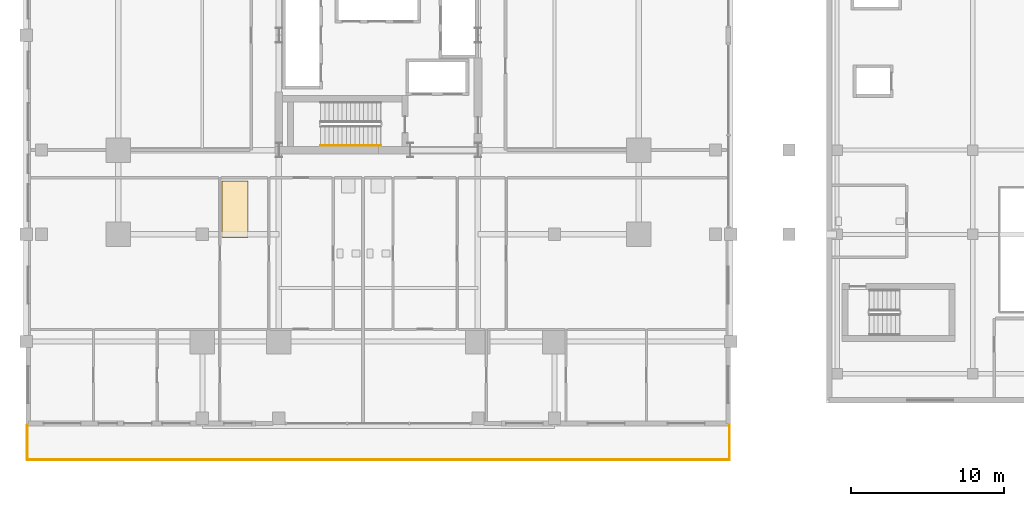
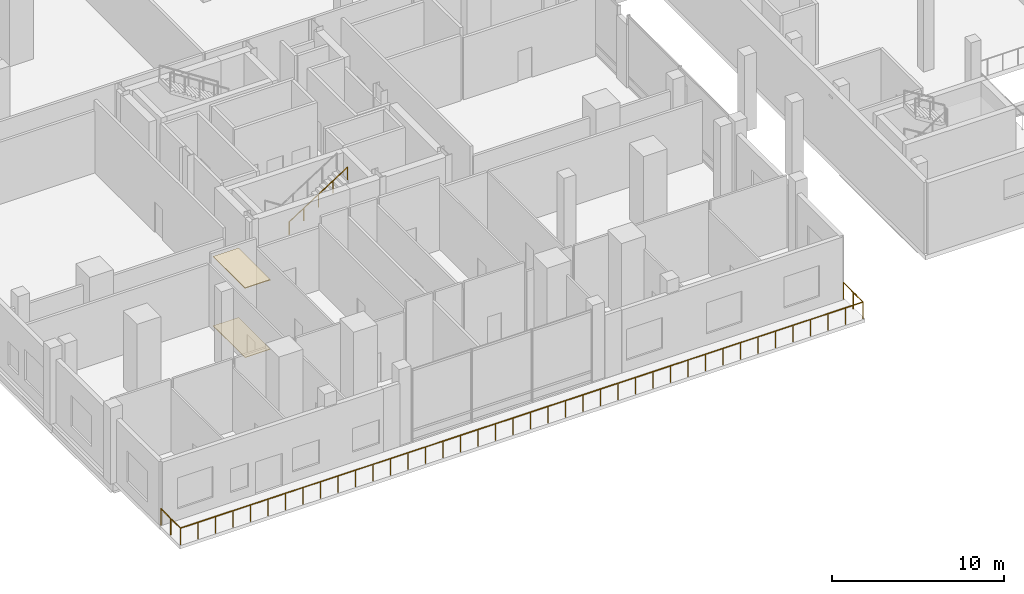
# One storey, part 26 of 32: 2 coverings, 2 railings.
"""IFC4 building model written with IfcOpenShell, lengths in metres."""

import ifcopenshell
import ifcopenshell.guid

model = None  # the IFC model being written
_history = None  # IfcOwnerHistory: only IFC2X3 demands one
_inside = {}  # id of a spatial element -> (the spatial element, [elements in it])
_under = {}  # id of a project, library or spatial element -> (it, [spatial elements below it])
_declared = {}  # id of a project -> (the project, [libraries it declares])
_typed = {}  # id of a type object -> (the type object, [elements of that type])
_made_of = {}  # id of a material, layer set ... -> (it, [elements and type objects made of it])


def new_model(schema):
    """Start an empty IFC model of exactly this schema.

    Asked for "IFC4X3", IfcOpenShell would pick the latest addendum, in which some entities
    have other attributes; the version numbers below select the first issue.
    IFC2X3 requires an IfcOwnerHistory on every rooted entity: one is made here for all.
    """
    global model, _history
    if schema == "IFC4X3":
        model = ifcopenshell.file(schema_version=(4, 3, 0, 0))
    else:
        model = ifcopenshell.file(schema=schema)
    _inside.clear()
    _under.clear()
    _declared.clear()
    _typed.clear()
    _made_of.clear()
    _history = None
    if model.schema == "IFC2X3":
        org = make("IfcOrganization", Name="unknown")
        user = make(
            "IfcPersonAndOrganization",
            ThePerson=make("IfcPerson", FamilyName="unknown"),
            TheOrganization=org,
        )
        app = make(
            "IfcApplication",
            ApplicationDeveloper=org,
            Version="unknown",
            ApplicationFullName="unknown",
            ApplicationIdentifier="unknown",
        )
        _history = make(
            "IfcOwnerHistory",
            OwningUser=user,
            OwningApplication=app,
            ChangeAction="ADDED",
            CreationDate=0,
        )
    return model


def make(cls, **values):
    """One entity of the class cls with the attributes given. An attribute that is None is left unset."""
    return model.create_entity(
        cls, **{name: value for name, value in values.items() if value is not None}
    )


def rooted(cls, **values):
    """An entity with a GlobalId (a new one), such as an element, a storey or a relation."""
    return make(cls, GlobalId=ifcopenshell.guid.new(), OwnerHistory=_history, **values)


def si_unit(unit_type, name, prefix=None):
    """IfcSIUnit, for example si_unit("LENGTHUNIT", "METRE", prefix="MILLI")."""
    return make("IfcSIUnit", UnitType=unit_type, Prefix=prefix, Name=name)


def assignment(units):
    """IfcUnitAssignment: the units of a project."""
    return None if units is None else make("IfcUnitAssignment", Units=units)


def point(xyz):
    """IfcCartesianPoint."""
    return None if xyz is None else make("IfcCartesianPoint", Coordinates=xyz)


def direction(xyz):
    """IfcDirection."""
    return None if xyz is None else make("IfcDirection", DirectionRatios=xyz)


def frame(location, z_axis=None, x_axis=None):
    """IfcAxis2Placement3D, a coordinate frame: its origin and axes. An axis left out is left unset."""
    return make(
        "IfcAxis2Placement3D",
        Location=point(location),
        Axis=direction(z_axis),
        RefDirection=direction(x_axis),
    )


def frame_2d(location, x_axis=None):
    """IfcAxis2Placement2D, a coordinate frame in the plane: its origin and x axis."""
    return make(
        "IfcAxis2Placement2D", Location=point(location), RefDirection=direction(x_axis)
    )


def origin():
    """The frame at (0, 0, 0) with its axes left unset."""
    return frame((0.0, 0.0, 0.0))


def origin_2d():
    """The frame at (0, 0) in the plane with its x axis left unset."""
    return frame_2d((0.0, 0.0))


def place(relative_to, where):
    """IfcLocalPlacement: puts the frame where relative to a parent placement (None: the world)."""
    return make(
        "IfcLocalPlacement", PlacementRelTo=relative_to, RelativePlacement=where
    )


def context(
    kind, dimensions, precision=None, world=None, true_north=None, identifier=None
):
    """IfcGeometricRepresentationContext, for example the 3D "Model" context."""
    return make(
        "IfcGeometricRepresentationContext",
        ContextIdentifier=identifier,
        ContextType=kind,
        CoordinateSpaceDimension=dimensions,
        Precision=precision,
        WorldCoordinateSystem=world,
        TrueNorth=true_north,
    )


def subcontext(parent, identifier, kind, view, scale=None):
    """IfcGeometricRepresentationSubContext, for example "Body" below "Model"."""
    return make(
        "IfcGeometricRepresentationSubContext",
        ContextIdentifier=identifier,
        ContextType=kind,
        ParentContext=parent,
        TargetScale=scale,
        TargetView=view,
    )


def project(units=None, contexts=None):
    """IfcProject with its units and contexts."""
    return rooted(
        "IfcProject",
        Name="project",
        RepresentationContexts=contexts,
        UnitsInContext=assignment(units),
    )


def spatial(cls, under=None, at=None, **own):
    """A site, building, storey or space (cls), placed at a placement, below another one or the project."""
    s = rooted(cls, ObjectPlacement=at, **own)
    if under is not None:
        _under.setdefault(under.id(), (under, []))[1].append(s)
    return s


def polyline(points):
    """IfcPolyline through the points."""
    return make("IfcPolyline", Points=[point(p) for p in points])


def profile(cls, at=None, kind="AREA", **sizes):
    """A parametric profile (cls). Its sizes go by their IFC names, for example OverallWidth=200.0."""
    return make(cls, ProfileType=kind, Position=at, **sizes)


def circle(**sizes):
    """IfcCircleProfileDef."""
    return profile("IfcCircleProfileDef", **sizes)


def outline(outer, holes=None, kind="AREA"):
    """IfcArbitraryClosedProfileDef: a profile drawn as a closed curve; with holes, ...WithVoids."""
    if holes is None:
        return make("IfcArbitraryClosedProfileDef", ProfileType=kind, OuterCurve=outer)
    return make(
        "IfcArbitraryProfileDefWithVoids",
        ProfileType=kind,
        OuterCurve=outer,
        InnerCurves=holes,
    )


def extrude(swept, where, along, depth):
    """IfcExtrudedAreaSolid: the profile swept, set in the frame where, extruded along a direction by depth."""
    return make(
        "IfcExtrudedAreaSolid",
        SweptArea=swept,
        Position=where,
        ExtrudedDirection=direction(along),
        Depth=depth,
    )


def shape(context_of_items, identifier, shape_type, items):
    """IfcShapeRepresentation: the items that make up one representation, for example the "Body"."""
    return make(
        "IfcShapeRepresentation",
        ContextOfItems=context_of_items,
        RepresentationIdentifier=identifier,
        RepresentationType=shape_type,
        Items=items,
    )


def material(Name=None, Category=None):
    """IfcMaterial."""
    return make("IfcMaterial", Name=Name, Category=Category)


def layer(
    of_material, thickness, ventilated=None, Name=None, Category=None, Priority=None
):
    """IfcMaterialLayer: one layer of a wall or slab, of a material (None: an air gap)."""
    return make(
        "IfcMaterialLayer",
        Material=of_material,
        LayerThickness=thickness,
        IsVentilated=ventilated,
        Name=Name,
        Category=Category,
        Priority=Priority,
    )


def layer_set(layers, Name=None):
    """IfcMaterialLayerSet."""
    return make("IfcMaterialLayerSet", MaterialLayers=layers, LayerSetName=Name)


def made_of(thing, what):
    """Note that an element or type object is made of a material, layer set ...; save() writes the relation."""
    if what is not None:
        _made_of.setdefault(what.id(), (what, []))[1].append(thing)
    return thing


def type_object(cls, material=None, **own):
    """A type object (cls), such as IfcWallType, which elements share."""
    return made_of(rooted(cls, **own), material)


def element(
    cls,
    number,
    at=None,
    inside=None,
    cuts=None,
    type_object=None,
    material=None,
    context=None,
    identifier="Body",
    shape_type=None,
    held_by="IfcProductDefinitionShape",
    body=None,
    shapes=None,
    **own,
):
    """One element of the class cls, such as IfcWall. Its Tag is "e" and its number.

    at: its placement. inside: the storey or other place that contains it. cuts: it is an
    opening in that element (IfcRelVoidsElement). A single representation is given by context,
    identifier, shape_type and body (its items); several are given by shapes. held_by: the class
    of the entity that holds the representations. save() writes the other relations.
    """
    e = rooted(cls, Tag="e%d" % number, ObjectPlacement=at, **own)
    if body is not None:
        shapes = [shape(context, identifier, shape_type, body)]
    if shapes is not None:
        e.Representation = make(held_by, Representations=shapes)
    if inside is not None:
        _inside.setdefault(inside.id(), (inside, []))[1].append(e)
    if cuts is not None:
        rooted(
            "IfcRelVoidsElement", RelatingBuildingElement=cuts, RelatedOpeningElement=e
        )
    if type_object is not None:
        _typed.setdefault(type_object.id(), (type_object, []))[1].append(e)
    return made_of(e, material)


def aggregate(whole, parts):
    """IfcRelAggregates: a whole, such as a stair, and the parts it consists of."""
    return rooted("IfcRelAggregates", RelatingObject=whole, RelatedObjects=parts)


def save(model, path):
    """Write the relations noted so far, then the file.

    IfcRelAggregates (storeys below a building ...), IfcRelContainedInSpatialStructure (elements
    in a storey), IfcRelDefinesByType, IfcRelAssociatesMaterial and IfcRelDeclares: one each for
    every whole, place, type object, material and project.
    """
    for whole, parts in _under.values():
        aggregate(whole, parts)
    for where, things in _inside.values():
        rooted(
            "IfcRelContainedInSpatialStructure",
            RelatedElements=things,
            RelatingStructure=where,
        )
    for kind, things in _typed.values():
        rooted("IfcRelDefinesByType", RelatedObjects=things, RelatingType=kind)
    for what, things in _made_of.values():
        rooted("IfcRelAssociatesMaterial", RelatedObjects=things, RelatingMaterial=what)
    for by, libraries in _declared.values():
        rooted("IfcRelDeclares", RelatingContext=by, RelatedDefinitions=libraries)
    model.write(path)


model = new_model("IFC4")

# Units and contexts
model_context = context("Model", 3, precision=1e-05, world=origin(), true_north=direction((0.0, 1.0)))
body_context = subcontext(model_context, "Body", "Model", "MODEL_VIEW")
ifc_project = project(units=[si_unit("LENGTHUNIT", "METRE"), si_unit("AREAUNIT", "SQUARE_METRE"), si_unit("VOLUMEUNIT", "CUBIC_METRE"), si_unit("PLANEANGLEUNIT", "RADIAN"), si_unit("MASSUNIT", "GRAM", prefix="KILO")], contexts=[model_context])

# Site, building, storey
site_placement = place(None, origin())
site = spatial("IfcSite", under=ifc_project, at=site_placement, CompositionType="ELEMENT")
building_placement = place(site_placement, origin())
building = spatial("IfcBuilding", under=site, at=building_placement, Name="Barlavira Tower and Art Museum", CompositionType="ELEMENT")
storey_placement = place(building_placement, frame((0.0, 0.0, 6.0)))
storey = spatial("IfcBuildingStorey", under=building, at=storey_placement, Name="L01", CompositionType="ELEMENT", Elevation=6.0)

# Coverings
ifc_material_1 = material(Name="Polished Catarinense terrazzo", Category="concrete")
ifc_layer_1 = layer(ifc_material_1, 0.0400390625, Name="Polished Catarinense terrazzo")
ifc_layer_set_1 = layer_set([ifc_layer_1], Name="Polished Catarinense terrazzo")
covering_type_1 = type_object("IfcCoveringType", Name="Gallery Terrazzo Architectural Flooring 40", PredefinedType="FLOORING", material=ifc_layer_set_1)
covering_1_placement = place(storey_placement, origin())
element("IfcCovering", 1, at=covering_1_placement, inside=storey, type_object=covering_type_1, Name="L01 Lobby Terrazzo Flooring", PredefinedType="FLOORING", context=body_context, shape_type="SweptSolid", body=[
    extrude(outline(polyline([(-10.199951171875, -13.199951171875), (-8.5, -13.199951171875), (-8.5, -9.5), (-10.199951171875, -9.5), (-10.199951171875, -13.199951171875)])), origin(), (0.0, 0.0, 1.0), 0.0400390625),
])
ifc_material_2 = material(Name="FSC acoustic timber slat", Category="wood")
ifc_layer_2 = layer(ifc_material_2, 0.050048828125, Name="FSC acoustic timber slat")
ifc_layer_set_2 = layer_set([ifc_layer_2], Name="FSC acoustic timber slat")
covering_type_2 = type_object("IfcCoveringType", Name="Lobby Acoustic Timber-Slat Suspended Ceiling 50", PredefinedType="CEILING", material=ifc_layer_set_2)
covering_2_placement = place(storey_placement, frame((0.0, 0.0, 4.919921875)))
element("IfcCovering", 2, at=covering_2_placement, inside=storey, type_object=covering_type_2, Name="L01 Lobby Acoustic Timber Ceiling", PredefinedType="CEILING", context=body_context, shape_type="SweptSolid", body=[
    extrude(outline(polyline([(-10.199951171875, -13.199951171875), (-8.5, -13.199951171875), (-8.5, -9.5), (-10.199951171875, -9.5), (-10.199951171875, -13.199951171875)])), origin(), (0.0, 0.0, 1.0), 0.050048828125),
])

# Railings
ifc_material_3 = material(Name="Brushed stainless steel", Category="steel")
railing_type_1 = type_object("IfcRailingType", Name="Stair Pitch Tubular Steel Handrail 920", PredefinedType="HANDRAIL", material=ifc_material_3)
railing_1_placement = place(storey_placement, frame((-3.77001953125, -7.199951171875, 2.8798828125)))
element("IfcRailing", 3, at=railing_1_placement, inside=storey, type_object=railing_type_1, Name="L01 ST-T1 stair handrail 2", PredefinedType="HANDRAIL", context=body_context, shape_type="SweptSolid", body=[
    extrude(circle(Radius=0.02392578125, at=origin_2d()), frame((0.0, 0.0, 0.8759765625), z_axis=(0.841171666519, 0.0, 0.540768182723), x_axis=(0.0, 1.0, 0.0)), (0.0, 0.0, 1.0), 4.66015625),
    extrude(circle(Radius=0.02099609375, at=origin_2d()), origin(), (0.0, 0.0, 1.0), 0.851806640625),
    extrude(circle(Radius=0.02099609375, at=origin_2d()), frame((0.97998046875, 0.0, 0.6298828125)), (0.0, 0.0, 1.0), 0.851806640625),
    extrude(circle(Radius=0.02099609375, at=origin_2d()), frame((1.9599609375, 0.0, 1.260009765625)), (0.0, 0.0, 1.0), 0.851806640625),
    extrude(circle(Radius=0.02099609375, at=origin_2d()), frame((2.93994140625, 0.0, 1.89013671875)), (0.0, 0.0, 1.0), 0.851806640625),
    extrude(circle(Radius=0.02099609375, at=origin_2d()), frame((3.919921875, 0.0, 2.52001953125)), (0.0, 0.0, 1.0), 0.851806640625),
])
ifc_material_4 = material(Name="Laminated safety glass and stainless steel", Category="steel")
railing_type_2 = type_object("IfcRailingType", Name="Terrace and Wind-Floor Laminated Glass Balustrade 1200", PredefinedType="BALUSTRADE", material=ifc_material_4)
railing_2_placement = place(storey_placement, frame((-22.919921875, -25.449951171875, 0.0)))
element("IfcRailing", 4, at=railing_2_placement, inside=storey, type_object=railing_type_2, Name="L01 South Cascade Terrace Balustrade", PredefinedType="BALUSTRADE", context=body_context, shape_type="SweptSolid", body=[
    extrude(circle(Radius=0.02392578125, at=origin_2d()), frame((0.0, 0.0, 1.17578125), z_axis=(0.0, -1.0, 0.0), x_axis=(1.0, 0.0, 0.0)), (0.0, 0.0, 1.0), 2.27001953125),
    extrude(circle(Radius=0.02392578125, at=origin_2d()), frame((0.0, -2.27001953125, 1.17578125), z_axis=(1.0, 0.0, 0.0), x_axis=(0.0, 1.0, 0.0)), (0.0, 0.0, 1.0), 45.83984375),
    extrude(circle(Radius=0.02392578125, at=origin_2d()), frame((45.83984375, -2.27001953125, 1.17578125), z_axis=(0.0, 1.0, 0.0), x_axis=(-1.0, 0.0, 0.0)), (0.0, 0.0, 1.0), 2.27001953125),
    extrude(circle(Radius=0.02099609375, at=origin_2d()), origin(), (0.0, 0.0, 1.0), 1.15185546875),
    extrude(circle(Radius=0.02099609375, at=origin_2d()), frame((0.0, -1.135009765625, 0.0)), (0.0, 0.0, 1.0), 1.15185546875),
    extrude(circle(Radius=0.02099609375, at=origin_2d()), frame((0.0, -2.27001953125, 0.0)), (0.0, 0.0, 1.0), 1.15185546875),
    extrude(circle(Radius=0.02099609375, at=origin_2d()), frame((1.17529296875, -2.27001953125, 0.0)), (0.0, 0.0, 1.0), 1.15185546875),
    extrude(circle(Radius=0.02099609375, at=origin_2d()), frame((2.350830078125, -2.27001953125, 0.0)), (0.0, 0.0, 1.0), 1.15185546875),
    extrude(circle(Radius=0.02099609375, at=origin_2d()), frame((3.526123046875, -2.27001953125, 0.0)), (0.0, 0.0, 1.0), 1.15185546875),
    extrude(circle(Radius=0.02099609375, at=origin_2d()), frame((4.701416015625, -2.27001953125, 0.0)), (0.0, 0.0, 1.0), 1.15185546875),
    extrude(circle(Radius=0.02099609375, at=origin_2d()), frame((5.876953125, -2.27001953125, 0.0)), (0.0, 0.0, 1.0), 1.15185546875),
    extrude(circle(Radius=0.02099609375, at=origin_2d()), frame((7.05224609375, -2.27001953125, 0.0)), (0.0, 0.0, 1.0), 1.15185546875),
    extrude(circle(Radius=0.02099609375, at=origin_2d()), frame((8.227783203125, -2.27001953125, 0.0)), (0.0, 0.0, 1.0), 1.15185546875),
    extrude(circle(Radius=0.02099609375, at=origin_2d()), frame((9.403076171875, -2.27001953125, 0.0)), (0.0, 0.0, 1.0), 1.15185546875),
    extrude(circle(Radius=0.02099609375, at=origin_2d()), frame((10.578369140625, -2.27001953125, 0.0)), (0.0, 0.0, 1.0), 1.15185546875),
    extrude(circle(Radius=0.02099609375, at=origin_2d()), frame((11.75390625, -2.27001953125, 0.0)), (0.0, 0.0, 1.0), 1.15185546875),
    extrude(circle(Radius=0.02099609375, at=origin_2d()), frame((12.92919921875, -2.27001953125, 0.0)), (0.0, 0.0, 1.0), 1.15185546875),
    extrude(circle(Radius=0.02099609375, at=origin_2d()), frame((14.1044921875, -2.27001953125, 0.0)), (0.0, 0.0, 1.0), 1.15185546875),
    extrude(circle(Radius=0.02099609375, at=origin_2d()), frame((15.280029296875, -2.27001953125, 0.0)), (0.0, 0.0, 1.0), 1.15185546875),
    extrude(circle(Radius=0.02099609375, at=origin_2d()), frame((16.455322265625, -2.27001953125, 0.0)), (0.0, 0.0, 1.0), 1.15185546875),
    extrude(circle(Radius=0.02099609375, at=origin_2d()), frame((17.630615234375, -2.27001953125, 0.0)), (0.0, 0.0, 1.0), 1.15185546875),
    extrude(circle(Radius=0.02099609375, at=origin_2d()), frame((18.80615234375, -2.27001953125, 0.0)), (0.0, 0.0, 1.0), 1.15185546875),
    extrude(circle(Radius=0.02099609375, at=origin_2d()), frame((19.9814453125, -2.27001953125, 0.0)), (0.0, 0.0, 1.0), 1.15185546875),
    extrude(circle(Radius=0.02099609375, at=origin_2d()), frame((21.15673828125, -2.27001953125, 0.0)), (0.0, 0.0, 1.0), 1.15185546875),
    extrude(circle(Radius=0.02099609375, at=origin_2d()), frame((22.332275390625, -2.27001953125, 0.0)), (0.0, 0.0, 1.0), 1.15185546875),
    extrude(circle(Radius=0.02099609375, at=origin_2d()), frame((23.507568359375, -2.27001953125, 0.0)), (0.0, 0.0, 1.0), 1.15185546875),
    extrude(circle(Radius=0.02099609375, at=origin_2d()), frame((24.68310546875, -2.27001953125, 0.0)), (0.0, 0.0, 1.0), 1.15185546875),
    extrude(circle(Radius=0.02099609375, at=origin_2d()), frame((25.8583984375, -2.27001953125, 0.0)), (0.0, 0.0, 1.0), 1.15185546875),
    extrude(circle(Radius=0.02099609375, at=origin_2d()), frame((27.03369140625, -2.27001953125, 0.0)), (0.0, 0.0, 1.0), 1.15185546875),
    extrude(circle(Radius=0.02099609375, at=origin_2d()), frame((28.209228515625, -2.27001953125, 0.0)), (0.0, 0.0, 1.0), 1.15185546875),
    extrude(circle(Radius=0.02099609375, at=origin_2d()), frame((29.384521484375, -2.27001953125, 0.0)), (0.0, 0.0, 1.0), 1.15185546875),
    extrude(circle(Radius=0.02099609375, at=origin_2d()), frame((30.559814453125, -2.27001953125, 0.0)), (0.0, 0.0, 1.0), 1.15185546875),
    extrude(circle(Radius=0.02099609375, at=origin_2d()), frame((31.7353515625, -2.27001953125, 0.0)), (0.0, 0.0, 1.0), 1.15185546875),
    extrude(circle(Radius=0.02099609375, at=origin_2d()), frame((32.91064453125, -2.27001953125, 0.0)), (0.0, 0.0, 1.0), 1.15185546875),
    extrude(circle(Radius=0.02099609375, at=origin_2d()), frame((34.0859375, -2.27001953125, 0.0)), (0.0, 0.0, 1.0), 1.15185546875),
    extrude(circle(Radius=0.02099609375, at=origin_2d()), frame((35.261474609375, -2.27001953125, 0.0)), (0.0, 0.0, 1.0), 1.15185546875),
    extrude(circle(Radius=0.02099609375, at=origin_2d()), frame((36.436767578125, -2.27001953125, 0.0)), (0.0, 0.0, 1.0), 1.15185546875),
    extrude(circle(Radius=0.02099609375, at=origin_2d()), frame((37.612060546875, -2.27001953125, 0.0)), (0.0, 0.0, 1.0), 1.15185546875),
    extrude(circle(Radius=0.02099609375, at=origin_2d()), frame((38.78759765625, -2.27001953125, 0.0)), (0.0, 0.0, 1.0), 1.15185546875),
    extrude(circle(Radius=0.02099609375, at=origin_2d()), frame((39.962890625, -2.27001953125, 0.0)), (0.0, 0.0, 1.0), 1.15185546875),
    extrude(circle(Radius=0.02099609375, at=origin_2d()), frame((41.138427734375, -2.27001953125, 0.0)), (0.0, 0.0, 1.0), 1.15185546875),
    extrude(circle(Radius=0.02099609375, at=origin_2d()), frame((42.313720703125, -2.27001953125, 0.0)), (0.0, 0.0, 1.0), 1.15185546875),
    extrude(circle(Radius=0.02099609375, at=origin_2d()), frame((43.489013671875, -2.27001953125, 0.0)), (0.0, 0.0, 1.0), 1.15185546875),
    extrude(circle(Radius=0.02099609375, at=origin_2d()), frame((44.66455078125, -2.27001953125, 0.0)), (0.0, 0.0, 1.0), 1.15185546875),
    extrude(circle(Radius=0.02099609375, at=origin_2d()), frame((45.83984375, -2.27001953125, 0.0)), (0.0, 0.0, 1.0), 1.15185546875),
    extrude(circle(Radius=0.02099609375, at=origin_2d()), frame((45.83984375, -1.135009765625, 0.0)), (0.0, 0.0, 1.0), 1.15185546875),
    extrude(circle(Radius=0.02099609375, at=origin_2d()), frame((45.83984375, 0.0, 0.0)), (0.0, 0.0, 1.0), 1.15185546875),
])

save(model, "model.ifc")
